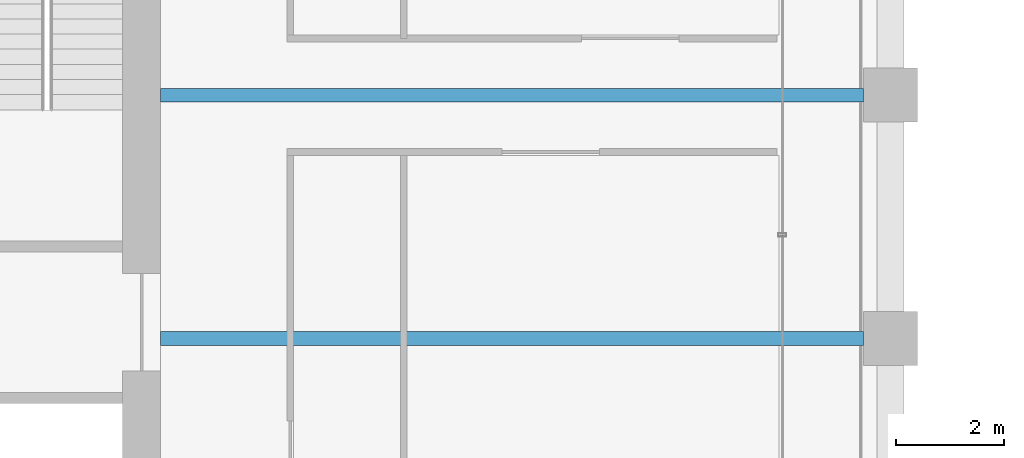
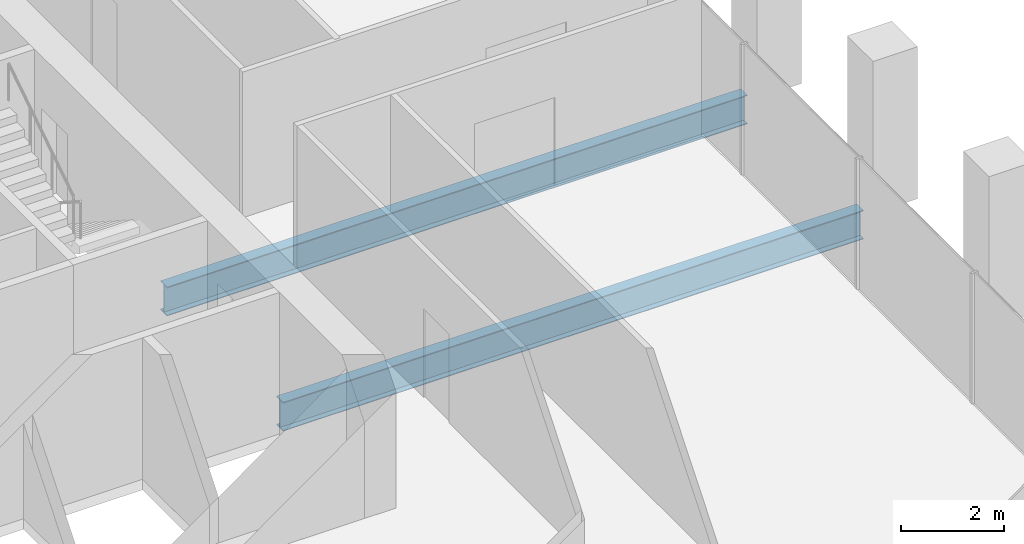
# One storey, part 16 of 46: 2 beams.
"""IFC4 building model written with IfcOpenShell, lengths in metres."""

from ifc_helpers import new_model, si_unit, direction, frame, origin, origin_2d, place, context, subcontext, project, spatial, i_section, extrude, material, material_profile, profile_set, type_object, element, save


model = new_model("IFC4")

# Units and contexts
model_context = context("Model", 3, precision=1e-05, world=origin(), true_north=direction((0.0, 1.0)))
body_context = subcontext(model_context, "Body", "Model", "MODEL_VIEW")
ifc_project = project(units=[si_unit("LENGTHUNIT", "METRE"), si_unit("AREAUNIT", "SQUARE_METRE"), si_unit("VOLUMEUNIT", "CUBIC_METRE"), si_unit("PLANEANGLEUNIT", "RADIAN"), si_unit("MASSUNIT", "GRAM", prefix="KILO")], contexts=[model_context])

# Site, building, storey
site_placement = place(None, origin())
site = spatial("IfcSite", under=ifc_project, at=site_placement, CompositionType="ELEMENT")
building_placement = place(site_placement, origin())
building = spatial("IfcBuilding", under=site, at=building_placement, Name="Altepetl Exchange Towers", CompositionType="ELEMENT")
storey_placement = place(building_placement, frame((0.0, 0.0, 106.39990234375)))
storey = spatial("IfcBuildingStorey", under=building, at=storey_placement, Name="L26", CompositionType="ELEMENT", Elevation=106.39990234375)

# Beams
ifc_material = material(Name="Steel S355", Category="steel")
ifc_material_profile = material_profile(ifc_material, i_section(OverallWidth=0.25390625, OverallDepth=0.68408203125, WebThickness=0.012451171875, FlangeThickness=0.018798828125, at=origin_2d()), Name="W27X94")
ifc_profile_set = profile_set([ifc_material_profile], Name="Steel S355")
beam_type = type_object("IfcBeamType", Name="Floor beam W27X94", PredefinedType="BEAM", material=ifc_profile_set)
for number, where, z_axis, x_axis, name in (
    (1, (58.5, 45.0, -0.491943359375), (1.0, 0.0, 0.0), (0.0, 1.0, 0.0), "bm:A:L26:009"),
    (2, (58.5, 49.5, -0.491943359375), (1.0, 0.0, 0.0), (0.0, 1.0, 0.0), "bm:A:L26:010"),
):
    element("IfcBeam", number, at=place(storey_placement, frame(where, z_axis=z_axis, x_axis=x_axis)), inside=storey, type_object=beam_type, Name=name, PredefinedType="BEAM", context=body_context, shape_type="SweptSolid", body=[
        extrude(i_section(OverallWidth=0.25390625, OverallDepth=0.68408203125, WebThickness=0.012451171875, FlangeThickness=0.018798828125, at=origin_2d()), origin(), (0.0, 0.0, 1.0), 13.0),
    ])

save(model, "model.ifc")
